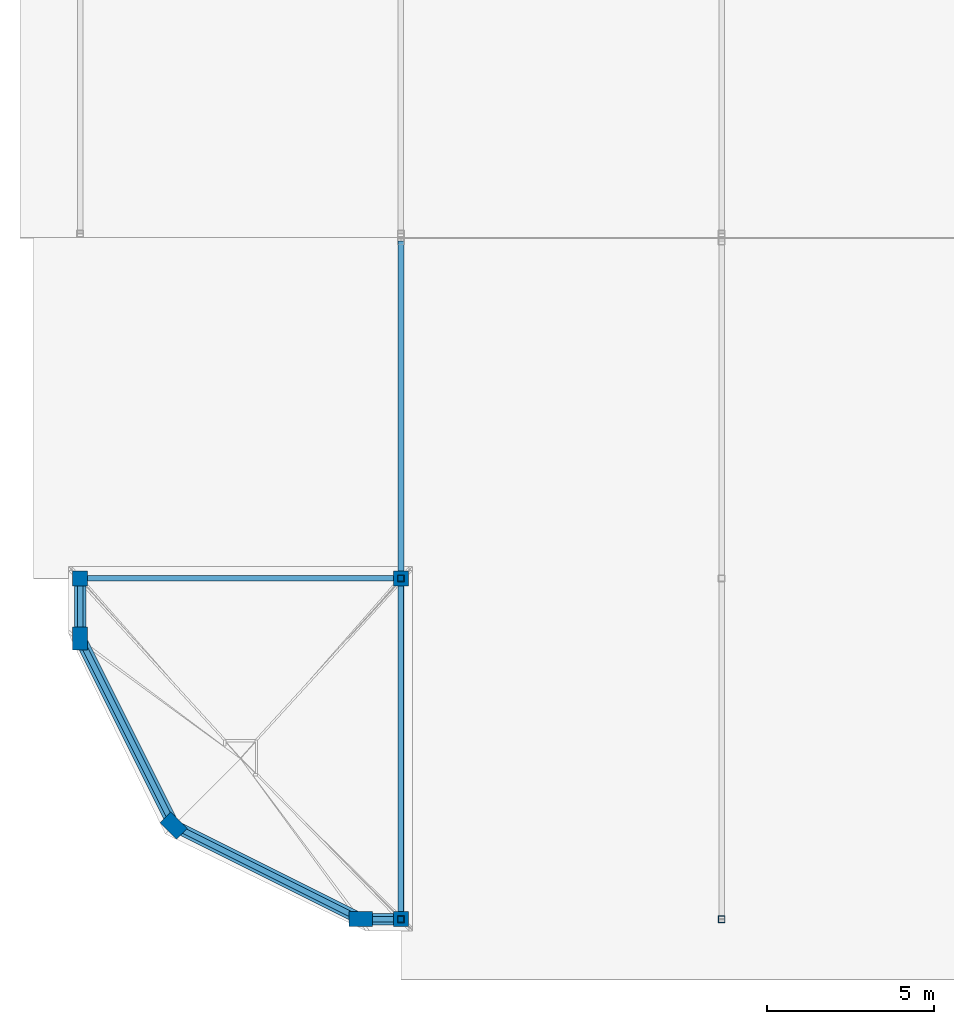
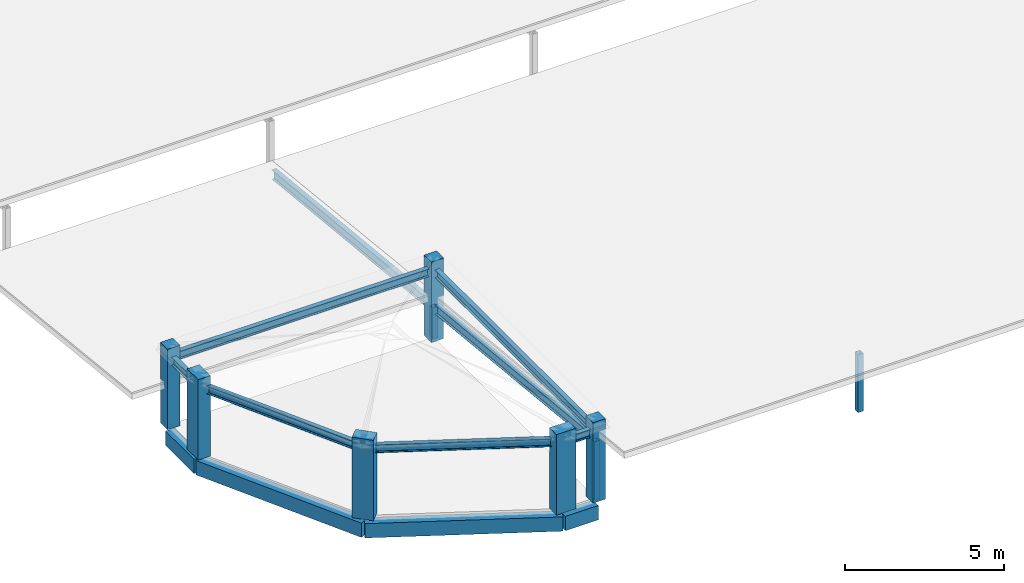
# One storey, part 1 of 11: 10 beams, 6 columns, 4 members.
"""IFC4 building model written with IfcOpenShell, lengths in metres."""

from ifc_helpers import new_model, si_unit, direction, frame, origin, origin_2d, place, context, subcontext, project, spatial, rectangle, hollow_rectangle, i_section, extrude, material, material_profile, profile_set, type_object, element, save


model = new_model("IFC4")

# Units and contexts
model_context = context("Model", 3, precision=1e-05, world=origin(), true_north=direction((0.0, 1.0)))
body_context = subcontext(model_context, "Body", "Model", "MODEL_VIEW")
ifc_project = project(units=[si_unit("LENGTHUNIT", "METRE"), si_unit("AREAUNIT", "SQUARE_METRE"), si_unit("VOLUMEUNIT", "CUBIC_METRE"), si_unit("PLANEANGLEUNIT", "RADIAN"), si_unit("MASSUNIT", "GRAM", prefix="KILO")], contexts=[model_context])

# Site, building, storey
site_placement = place(None, origin())
site = spatial("IfcSite", under=ifc_project, at=site_placement, CompositionType="ELEMENT")
building_placement = place(site_placement, origin())
building = spatial("IfcBuilding", under=site, at=building_placement, Name="Vondelvale Polytechnic", CompositionType="ELEMENT")
storey_placement = place(building_placement, frame((0.0, 0.0, 34.800048828125)))
storey = spatial("IfcBuildingStorey", under=building, at=storey_placement, Name="Roof", CompositionType="ELEMENT", Elevation=34.800048828125)

# Columns
ifc_material_1 = material(Name="Concrete N50 (f'c = 50 MPa)", Category="concrete")
ifc_material_profile_1 = material_profile(ifc_material_1, rectangle(XDim=0.449951171875, YDim=0.449951171875, at=origin_2d()), Name="RC-COL-450x450")
ifc_profile_set_1 = profile_set([ifc_material_profile_1], Name="Concrete N50 (f'c = 50 MPa)")
column_type_1 = type_object("IfcColumnType", Name="COL-RC450", PredefinedType="COLUMN", material=ifc_profile_set_1)
for number, where, z_axis, x_axis, name in (
    (1, (9.60009765625, 0.0, 0.0), (0.0, 0.0, 1.0), (1.0, 0.0, 0.0), "Roof SW corner turret lantern column TR-SE"),
    (2, (0.0, 10.199951171875, 0.0), (0.0, 0.0, 1.0), (1.0, 0.0, 0.0), "Roof SW corner turret lantern column TR-NW"),
    (3, (9.60009765625, 10.199951171875, 0.0), (0.0, 0.0, 1.0), (1.0, 0.0, 0.0), "Roof SW corner turret lantern column TR-NE"),
):
    element("IfcColumn", number, at=place(storey_placement, frame(where, z_axis=z_axis, x_axis=x_axis)), inside=storey, type_object=column_type_1, Name=name, PredefinedType="COLUMN", context=body_context, shape_type="SweptSolid", body=[
        extrude(rectangle(XDim=0.449951171875, YDim=0.449951171875, at=origin_2d()), origin(), (0.0, 0.0, 1.0), 3.099853515625),
    ])
ifc_material_profile_2 = material_profile(ifc_material_1, rectangle(XDim=0.449951171875, YDim=0.699951171875, at=origin_2d()), Name="RC-PIL-700x450")
ifc_profile_set_2 = profile_set([ifc_material_profile_2], Name="Concrete N50 (f'c = 50 MPa)")
column_type_2 = type_object("IfcColumnType", Name="PIL-RC700x450", PredefinedType="PILASTER", material=ifc_profile_set_2)
for number, where, z_axis, x_axis, name in (
    (4, (8.39990234375, 0.0, 0.0), (0.0, 0.0, 1.0), (0.0, 1.0, 0.0), "Roof SW corner turret lantern column TR-S"),
    (5, (2.800048828125, 2.800048828125, 0.0), (0.0, 0.0, 1.0), (0.707106781187, 0.707106781187, 0.0), "Roof SW corner turret lantern column TR-M"),
    (6, (0.0, 8.39990234375, 0.0), (0.0, 0.0, 1.0), (1.0, 0.0, 0.0), "Roof SW corner turret lantern column TR-W"),
):
    element("IfcColumn", number, at=place(storey_placement, frame(where, z_axis=z_axis, x_axis=x_axis)), inside=storey, type_object=column_type_2, Name=name, PredefinedType="PILASTER", context=body_context, shape_type="SweptSolid", body=[
        extrude(rectangle(XDim=0.449951171875, YDim=0.699951171875, at=origin_2d()), origin(), (0.0, 0.0, 1.0), 3.099853515625),
    ])

# Beams
ifc_material_2 = material(Name="Concrete N40 (f'c = 40 MPa)", Category="concrete")
ifc_material_profile_3 = material_profile(ifc_material_2, rectangle(XDim=0.35009765625, YDim=0.550048828125, at=origin_2d()), Name="RC-BM-350x550")
ifc_profile_set_3 = profile_set([ifc_material_profile_3], Name="Concrete N40 (f'c = 40 MPa)")
beam_type_1 = type_object("IfcBeamType", Name="BM-RC350x550", PredefinedType="BEAM", material=ifc_profile_set_3)
beam_1_placement = place(storey_placement, frame((8.39990234375, 0.0, -0.47509765625), z_axis=(1.0, 0.0, 0.0), x_axis=(0.0, 1.0, 0.0)))
element("IfcBeam", 7, at=beam_1_placement, inside=storey, type_object=beam_type_1, Name="Roof TB B-06", PredefinedType="BEAM", context=body_context, shape_type="SweptSolid", body=[
    extrude(rectangle(XDim=0.35009765625, YDim=0.550048828125, at=origin_2d()), origin(), (0.0, 0.0, 1.0), 1.2001953125),
])
beam_2_placement = place(storey_placement, frame((0.0, 10.199951171875, -0.47509765625), z_axis=(0.0, -1.0, 0.0), x_axis=(1.0, 0.0, 0.0)))
element("IfcBeam", 8, at=beam_2_placement, inside=storey, type_object=beam_type_1, Name="Roof TB B-06", PredefinedType="BEAM", context=body_context, shape_type="SweptSolid", body=[
    extrude(rectangle(XDim=0.35009765625, YDim=0.550048828125, at=origin_2d()), origin(), (0.0, 0.0, 1.0), 1.800048828125),
])
for number, where, z_axis, x_axis, name in (
    (9, (0.0, 8.39990234375, -0.47509765625), (0.447229193276, -0.894419391942, 0.0), (0.894419391942, 0.447229193276, 0.0), "Roof TB B-06"),
    (10, (2.800048828125, 2.800048828125, -0.47509765625), (0.894419391942, -0.447229193276, 0.0), (0.447229193276, 0.894419391942, 0.0), "Roof TB B-06"),
):
    element("IfcBeam", number, at=place(storey_placement, frame(where, z_axis=z_axis, x_axis=x_axis)), inside=storey, type_object=beam_type_1, Name=name, PredefinedType="BEAM", context=body_context, shape_type="SweptSolid", body=[
        extrude(rectangle(XDim=0.35009765625, YDim=0.550048828125, at=origin_2d()), origin(), (0.0, 0.0, 1.0), 6.260986328125),
    ])
ifc_material_3 = material(Name="Steel 300PLUS (fy = 300 MPa)", Category="steel")
ifc_material_profile_4 = material_profile(ifc_material_3, i_section(OverallWidth=0.166015625, OverallDepth=0.306884765625, WebThickness=0.006591796875, FlangeThickness=0.01171875, FilletRadius=0.011474609375, at=origin_2d()), Name="310UB46.2")
ifc_profile_set_4 = profile_set([ifc_material_profile_4], Name="Steel 300PLUS (fy = 300 MPa)")
beam_type_2 = type_object("IfcBeamType", Name="BM-UB310H", PredefinedType="BEAM", material=ifc_profile_set_4)
beam_3_placement = place(storey_placement, frame((8.39990234375, 0.0, 2.596435546875), z_axis=(1.0, 0.0, 0.0), x_axis=(0.0, 1.0, 0.0)))
element("IfcBeam", 11, at=beam_3_placement, inside=storey, type_object=beam_type_2, Name="Roof TRB B-16", PredefinedType="BEAM", context=body_context, shape_type="SweptSolid", body=[
    extrude(i_section(OverallWidth=0.166015625, OverallDepth=0.306884765625, WebThickness=0.006591796875, FlangeThickness=0.01171875, FilletRadius=0.011474609375, at=origin_2d()), origin(), (0.0, 0.0, 1.0), 1.2001953125),
])
beam_4_placement = place(storey_placement, frame((9.60009765625, 0.0, 2.596435546875), z_axis=(0.0, 1.0, 0.0), x_axis=(-1.0, 0.0, 0.0)))
element("IfcBeam", 12, at=beam_4_placement, inside=storey, type_object=beam_type_2, Name="Roof TRB B-16", PredefinedType="BEAM", context=body_context, shape_type="SweptSolid", body=[
    extrude(i_section(OverallWidth=0.166015625, OverallDepth=0.306884765625, WebThickness=0.006591796875, FlangeThickness=0.01171875, FilletRadius=0.011474609375, at=origin_2d()), origin(), (0.0, 0.0, 1.0), 10.199951171875),
])
beam_5_placement = place(storey_placement, frame((9.60009765625, 10.199951171875, 2.596435546875), z_axis=(-1.0, 0.0, 0.0), x_axis=(0.0, -1.0, 0.0)))
element("IfcBeam", 13, at=beam_5_placement, inside=storey, type_object=beam_type_2, Name="Roof TRB B-16", PredefinedType="BEAM", context=body_context, shape_type="SweptSolid", body=[
    extrude(i_section(OverallWidth=0.166015625, OverallDepth=0.306884765625, WebThickness=0.006591796875, FlangeThickness=0.01171875, FilletRadius=0.011474609375, at=origin_2d()), origin(), (0.0, 0.0, 1.0), 9.60009765625),
])
beam_6_placement = place(storey_placement, frame((0.0, 10.199951171875, 2.596435546875), z_axis=(0.0, -1.0, 0.0), x_axis=(1.0, 0.0, 0.0)))
element("IfcBeam", 14, at=beam_6_placement, inside=storey, type_object=beam_type_2, Name="Roof TRB B-16", PredefinedType="BEAM", context=body_context, shape_type="SweptSolid", body=[
    extrude(i_section(OverallWidth=0.166015625, OverallDepth=0.306884765625, WebThickness=0.006591796875, FlangeThickness=0.01171875, FilletRadius=0.011474609375, at=origin_2d()), origin(), (0.0, 0.0, 1.0), 1.800048828125),
])
for number, where, z_axis, x_axis, name in (
    (15, (0.0, 8.39990234375, 2.596435546875), (0.447229193276, -0.894419391942, 0.0), (0.894419391942, 0.447229193276, 0.0), "Roof TRB B-16"),
    (16, (2.800048828125, 2.800048828125, 2.596435546875), (0.894419391942, -0.447229193276, 0.0), (0.447229193276, 0.894419391942, 0.0), "Roof TRB B-16"),
):
    element("IfcBeam", number, at=place(storey_placement, frame(where, z_axis=z_axis, x_axis=x_axis)), inside=storey, type_object=beam_type_2, Name=name, PredefinedType="BEAM", context=body_context, shape_type="SweptSolid", body=[
        extrude(i_section(OverallWidth=0.166015625, OverallDepth=0.306884765625, WebThickness=0.006591796875, FlangeThickness=0.01171875, FilletRadius=0.011474609375, at=origin_2d()), origin(), (0.0, 0.0, 1.0), 6.260986328125),
    ])

# Members
ifc_material_profile_5 = material_profile(ifc_material_3, i_section(OverallWidth=0.172119140625, OverallDepth=0.35888671875, WebThickness=0.008056640625, FlangeThickness=0.012939453125, FilletRadius=0.011474609375, at=origin_2d()), Name="360UB56.7")
ifc_profile_set_5 = profile_set([ifc_material_profile_5], Name="Steel 300PLUS (fy = 300 MPa)")
member_type_1 = type_object("IfcMemberType", Name="RAFTER UB360", PredefinedType="RAFTER", material=ifc_profile_set_5)
member_1_placement = place(storey_placement, frame((9.60009765625, 0.0, 2.231201171875), z_axis=(0.0, 0.994903127753, -0.100835342947), x_axis=(-1.0, 0.0, 0.0)))
element("IfcMember", 17, at=member_1_placement, inside=storey, type_object=member_type_1, Name="Corner wing roof rafter 1", PredefinedType="RAFTER", context=body_context, shape_type="SweptSolid", body=[
    extrude(i_section(OverallWidth=0.172119140625, OverallDepth=0.35888671875, WebThickness=0.008056640625, FlangeThickness=0.012939453125, FilletRadius=0.011474609375, at=origin_2d()), origin(), (0.0, 0.0, 1.0), 20.384033203125),
])
ifc_material_4 = material(Name="Steel C350L0 (fy = 350 MPa)", Category="steel")
ifc_material_profile_6 = material_profile(ifc_material_4, hollow_rectangle(XDim=0.199951171875, YDim=0.199951171875, WallThickness=0.009033203125, at=origin_2d()), Name="200x200x9.0SHS")
ifc_profile_set_6 = profile_set([ifc_material_profile_6], Name="Steel C350L0 (fy = 350 MPa)")
member_type_2 = type_object("IfcMemberType", Name="ROOF TRUSS POST 200SHS", PredefinedType="POST", material=ifc_profile_set_6)
member_2_placement = place(storey_placement, frame((9.60009765625, 0.0, 0.0), z_axis=(0.0, 0.0, 1.0), x_axis=(1.0, 0.0, 0.0)))
element("IfcMember", 18, at=member_2_placement, inside=storey, type_object=member_type_2, Name="Corner wing roof post 1", PredefinedType="POST", context=body_context, shape_type="SweptSolid", body=[
    extrude(hollow_rectangle(XDim=0.199951171875, YDim=0.199951171875, WallThickness=0.009033203125, at=origin_2d()), origin(), (0.0, 0.0, 1.0), 2.231201171875),
])
member_3_placement = place(storey_placement, frame((9.60009765625, 10.199951171875, 0.0), z_axis=(0.0, 0.0, 1.0), x_axis=(1.0, 0.0, 0.0)))
element("IfcMember", 19, at=member_3_placement, inside=storey, type_object=member_type_2, Name="Corner wing roof post 1", PredefinedType="POST", context=body_context, shape_type="SweptSolid", body=[
    extrude(hollow_rectangle(XDim=0.199951171875, YDim=0.199951171875, WallThickness=0.009033203125, at=origin_2d()), origin(), (0.0, 0.0, 1.0), 1.197265625),
])
member_4_placement = place(storey_placement, frame((19.199951171875, 0.0, 0.0), z_axis=(0.0, 0.0, 1.0), x_axis=(1.0, 0.0, 0.0)))
element("IfcMember", 20, at=member_4_placement, inside=storey, type_object=member_type_2, Name="Corner wing roof post 1", PredefinedType="POST", context=body_context, shape_type="SweptSolid", body=[
    extrude(hollow_rectangle(XDim=0.199951171875, YDim=0.199951171875, WallThickness=0.009033203125, at=origin_2d()), origin(), (0.0, 0.0, 1.0), 2.231201171875),
])

save(model, "model.ifc")
